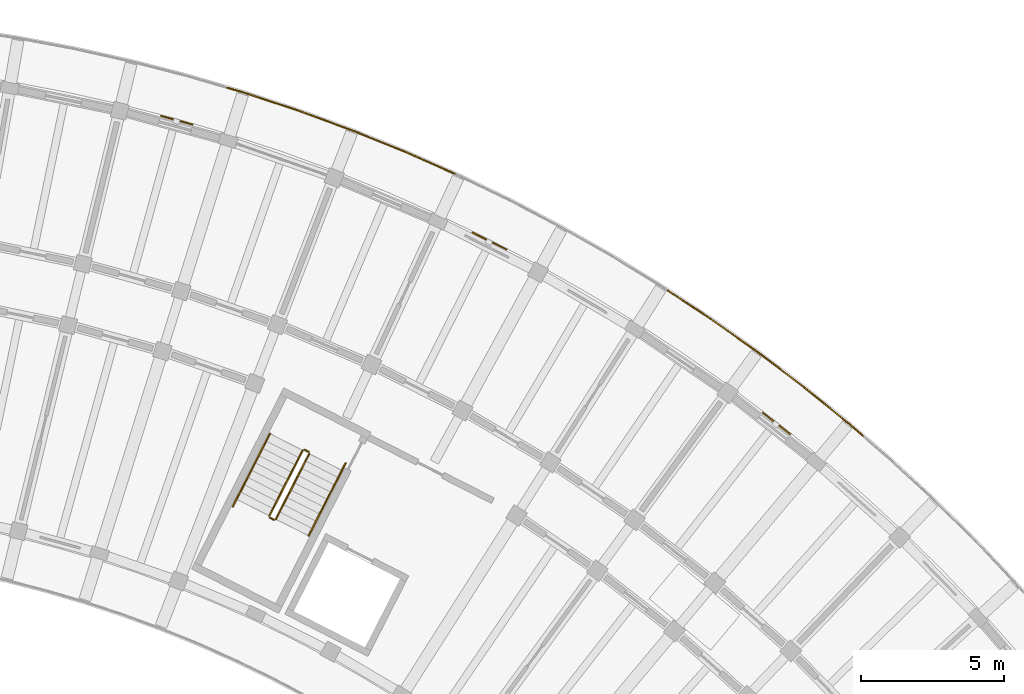
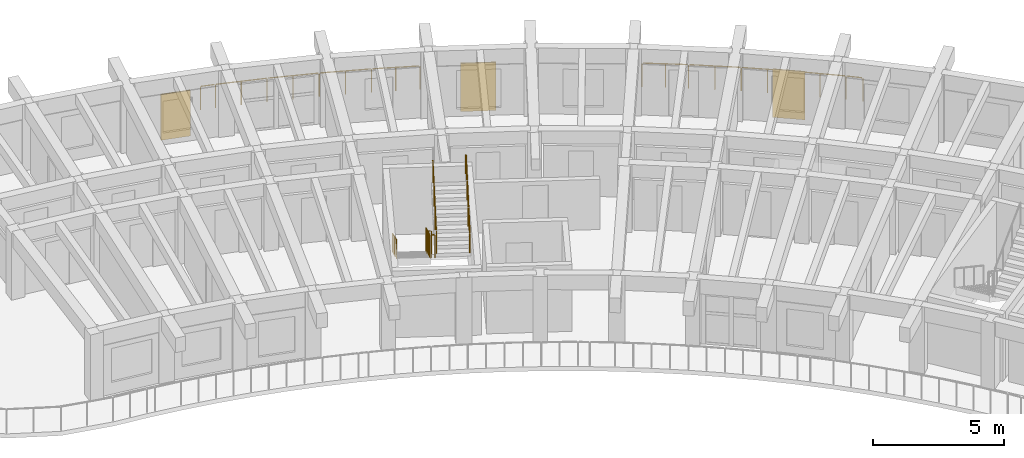
# One storey, part 77 of 78: 12 railings, 3 shading devices.
"""IFC4 building model written with IfcOpenShell, lengths in metres."""

from ifc_helpers import new_model, si_unit, direction, frame, origin, origin_2d, place, context, subcontext, project, spatial, rectangle, circle, extrude, material, layer, layer_set, type_object, element, save


model = new_model("IFC4")

# Units and contexts
model_context = context("Model", 3, precision=1e-05, world=origin(), true_north=direction((0.0, 1.0)))
body_context = subcontext(model_context, "Body", "Model", "MODEL_VIEW")
ifc_project = project(units=[si_unit("LENGTHUNIT", "METRE"), si_unit("AREAUNIT", "SQUARE_METRE"), si_unit("VOLUMEUNIT", "CUBIC_METRE"), si_unit("PLANEANGLEUNIT", "RADIAN"), si_unit("MASSUNIT", "GRAM", prefix="KILO")], contexts=[model_context])

# Site, building, storey
site_placement = place(None, origin())
site = spatial("IfcSite", under=ifc_project, at=site_placement, CompositionType="ELEMENT")
building_placement = place(site_placement, origin())
building = spatial("IfcBuilding", under=site, at=building_placement, Name="Tanwirah Colonnade Gardens", CompositionType="ELEMENT")
storey_placement = place(building_placement, frame((0.0, 0.0, 22.280029296875)))
storey = spatial("IfcBuildingStorey", under=building, at=storey_placement, Name="L06", CompositionType="ELEMENT", Elevation=22.280029296875)

# Railings
ifc_material_1 = material(Name="Precast concrete C40/50", Category="concrete")
railing_type_1 = type_object("IfcRailingType", Name="BAL-EXT112", PredefinedType="BALUSTRADE", material=ifc_material_1)
railing_1_placement = place(storey_placement, frame((138.708984375, 118.89990234375, 0.0)))
element("IfcRailing", 1, at=railing_1_placement, inside=storey, type_object=railing_type_1, Name="Block B L06 Balcony Ribbon Balustrade 12", PredefinedType="BALUSTRADE", context=body_context, shape_type="SweptSolid", body=[
    extrude(circle(Radius=0.02392578125, at=origin_2d()), frame((0.030029296875, -0.0087890625, 1.09619140625), z_axis=(0.959445381797, -0.281894589072, 0.0), x_axis=(0.281894589072, 0.959445381797, 0.0)), (0.0, 0.0, 1.0), 0.521240234375),
    extrude(circle(Radius=0.02392578125, at=origin_2d()), frame((0.58984375, -0.17431640625, 1.09619140625), z_axis=(0.949537316482, -0.313654084317, 0.0), x_axis=(0.313654084317, 0.949537316482, 0.0)), (0.0, 0.0, 1.0), 1.958984375),
    extrude(circle(Radius=0.02392578125, at=origin_2d()), frame((2.5087890625, -0.809326171875, 1.09619140625), z_axis=(0.938723993457, -0.344669789956, 0.0), x_axis=(0.344669789956, 0.938723993457, 0.0)), (0.0, 0.0, 1.0), 1.958984375),
    extrude(circle(Radius=0.02392578125, at=origin_2d()), frame((4.40625, -1.507080078125, 1.09619140625), z_axis=(0.926784720453, -0.375592973757, 0.0), x_axis=(0.375592973757, 0.926784720453, 0.0)), (0.0, 0.0, 1.0), 1.958984375),
    extrude(circle(Radius=0.02392578125, at=origin_2d()), frame((6.279296875, -2.267333984375, 1.09619140625), z_axis=(0.913952853369, -0.405820381227, 0.0), x_axis=(0.405820381227, 0.913952853369, 0.0)), (0.0, 0.0, 1.0), 1.789306640625),
    extrude(circle(Radius=0.02099609375, at=origin_2d()), origin(), (0.0, 0.0, 1.0), 1.069091796875),
    extrude(circle(Radius=0.02099609375, at=origin_2d()), frame((0.56005859375, -0.16455078125, 0.0)), (0.0, 0.0, 1.0), 1.069091796875),
    extrude(circle(Radius=0.02099609375, at=origin_2d()), frame((1.519775390625, -0.4814453125, 0.0)), (0.0, 0.0, 1.0), 1.069091796875),
    extrude(circle(Radius=0.02099609375, at=origin_2d()), frame((2.4794921875, -0.798583984375, 0.0)), (0.0, 0.0, 1.0), 1.069091796875),
    extrude(circle(Radius=0.02099609375, at=origin_2d()), frame((3.42822265625, -1.14697265625, 0.0)), (0.0, 0.0, 1.0), 1.069091796875),
    extrude(circle(Radius=0.02099609375, at=origin_2d()), frame((4.377197265625, -1.495361328125, 0.0)), (0.0, 0.0, 1.0), 1.069091796875),
    extrude(circle(Radius=0.02099609375, at=origin_2d()), frame((5.31396484375, -1.875, 0.0)), (0.0, 0.0, 1.0), 1.069091796875),
    extrude(circle(Radius=0.02099609375, at=origin_2d()), frame((6.250732421875, -2.254638671875, 0.0)), (0.0, 0.0, 1.0), 1.069091796875),
    extrude(circle(Radius=0.02099609375, at=origin_2d()), frame((7.096923828125, -2.63037109375, 0.0)), (0.0, 0.0, 1.0), 1.069091796875),
    extrude(circle(Radius=0.02099609375, at=origin_2d()), frame((7.943115234375, -3.006103515625, 0.0)), (0.0, 0.0, 1.0), 1.069091796875),
])
railing_2_placement = place(storey_placement, frame((154.10107421875, 111.814208984375, 0.0)))
element("IfcRailing", 2, at=railing_2_placement, inside=storey, type_object=railing_type_1, Name="Block B L06 Balcony Ribbon Balustrade 14", PredefinedType="BALUSTRADE", context=body_context, shape_type="SweptSolid", body=[
    extrude(circle(Radius=0.02392578125, at=origin_2d()), frame((0.026123046875, -0.01708984375, 1.09619140625), z_axis=(0.834955335446, -0.550317715334, 0.0), x_axis=(0.550317715334, 0.834955335446, 0.0)), (0.0, 0.0, 1.0), 1.714599609375),
    extrude(circle(Radius=0.02392578125, at=origin_2d()), frame((1.509521484375, -0.99609375, 1.09619140625), z_axis=(0.816344803849, -0.577564854565, 0.0), x_axis=(0.577564854565, 0.816344803849, 0.0)), (0.0, 0.0, 1.0), 1.958740234375),
    extrude(circle(Radius=0.02392578125, at=origin_2d()), frame((3.158935546875, -2.164306640625, 1.09619140625), z_axis=(0.796887753746, -0.604127393792, 0.0), x_axis=(0.604127393792, 0.796887753746, 0.0)), (0.0, 0.0, 1.0), 1.958984375),
    extrude(circle(Radius=0.02392578125, at=origin_2d()), frame((4.76904296875, -3.386474609375, 1.09619140625), z_axis=(0.776549722569, -0.630055972417, 0.0), x_axis=(0.630055972417, 0.776549722569, 0.0)), (0.0, 0.0, 1.0), 1.958984375),
    extrude(circle(Radius=0.02392578125, at=origin_2d()), frame((6.33837890625, -4.660888671875, 1.09619140625), z_axis=(0.755371030703, -0.65529734165, 0.0), x_axis=(0.65529734165, 0.755371030703, 0.0)), (0.0, 0.0, 1.0), 0.59619140625),
    extrude(circle(Radius=0.02099609375, at=origin_2d()), origin(), (0.0, 0.0, 1.0), 1.069091796875),
    extrude(circle(Radius=0.02099609375, at=origin_2d()), frame((0.741943359375, -0.489013671875, 0.0)), (0.0, 0.0, 1.0), 1.069091796875),
    extrude(circle(Radius=0.02099609375, at=origin_2d()), frame((1.48388671875, -0.97802734375, 0.0)), (0.0, 0.0, 1.0), 1.069091796875),
    extrude(circle(Radius=0.02099609375, at=origin_2d()), frame((2.30908203125, -1.561767578125, 0.0)), (0.0, 0.0, 1.0), 1.069091796875),
    extrude(circle(Radius=0.02099609375, at=origin_2d()), frame((3.134033203125, -2.1455078125, 0.0)), (0.0, 0.0, 1.0), 1.069091796875),
    extrude(circle(Radius=0.02099609375, at=origin_2d()), frame((3.939453125, -2.756103515625, 0.0)), (0.0, 0.0, 1.0), 1.069091796875),
    extrude(circle(Radius=0.02099609375, at=origin_2d()), frame((4.744873046875, -3.36669921875, 0.0)), (0.0, 0.0, 1.0), 1.069091796875),
    extrude(circle(Radius=0.02099609375, at=origin_2d()), frame((5.52978515625, -4.00341796875, 0.0)), (0.0, 0.0, 1.0), 1.069091796875),
    extrude(circle(Radius=0.02099609375, at=origin_2d()), frame((6.314697265625, -4.640380859375, 0.0)), (0.0, 0.0, 1.0), 1.069091796875),
    extrude(circle(Radius=0.02099609375, at=origin_2d()), frame((6.812255859375, -5.072021484375, 0.0)), (0.0, 0.0, 1.0), 1.069091796875),
])
ifc_material_2 = material(Name="Powder-coated galvanized steel", Category="steel")
railing_type_2 = type_object("IfcRailingType", Name="GRD-ST110", PredefinedType="GUARDRAIL", material=ifc_material_2)
railing_3_placement = place(storey_placement, frame((141.344970703125, 106.230712890625, 0.16796875)))
element("IfcRailing", 3, at=railing_3_placement, inside=storey, type_object=railing_type_2, Name="L06 ST-B2 stair guard 1", PredefinedType="GUARDRAIL", context=body_context, shape_type="SweptSolid", body=[
    extrude(circle(Radius=0.02392578125, at=origin_2d()), frame((-0.01220703125, -0.02392578125, 1.092041015625), z_axis=(-0.3911222872, -0.767567239095, 0.507803003067), x_axis=(0.890993730975, -0.45401560696, 0.0)), (0.0, 0.0, 1.0), 2.9150390625),
    extrude(circle(Radius=0.02099609375, at=origin_2d()), origin(), (0.0, 0.0, 1.0), 1.049072265625),
    extrude(circle(Radius=0.02099609375, at=origin_2d()), frame((-0.38818359375, -0.76171875, 0.50390625)), (0.0, 0.0, 1.0), 1.049072265625),
    extrude(circle(Radius=0.02099609375, at=origin_2d()), frame((-0.7763671875, -1.523681640625, 1.008056640625)), (0.0, 0.0, 1.0), 1.049072265625),
    extrude(circle(Radius=0.02099609375, at=origin_2d()), frame((-1.16455078125, -2.285400390625, 1.511962890625)), (0.0, 0.0, 1.0), 1.049072265625),
])
railing_4_placement = place(storey_placement, frame((140.202392578125, 103.8779296875, 1.679931640625)))
element("IfcRailing", 4, at=railing_4_placement, inside=storey, type_object=railing_type_2, Name="L06 ST-B2 stair guard 2", PredefinedType="GUARDRAIL", context=body_context, shape_type="SweptSolid", body=[
    extrude(circle(Radius=0.02392578125, at=origin_2d()), frame((0.02783203125, -0.01416015625, 1.076171875), z_axis=(0.891353773095, -0.453308340084, 0.0), x_axis=(0.453308340084, 0.891353773095, 0.0)), (0.0, 0.0, 1.0), 0.097412109375),
    extrude(circle(Radius=0.02099609375, at=origin_2d()), origin(), (0.0, 0.0, 1.0), 1.049072265625),
    extrude(circle(Radius=0.02099609375, at=origin_2d()), frame((0.142578125, -0.072509765625, 0.0)), (0.0, 0.0, 1.0), 1.049072265625),
])
railing_5_placement = place(storey_placement, frame((140.412109375, 103.8271484375, 1.847900390625)))
element("IfcRailing", 5, at=railing_5_placement, inside=storey, type_object=railing_type_2, Name="L06 ST-B2 stair guard 3", PredefinedType="GUARDRAIL", context=body_context, shape_type="SweptSolid", body=[
    extrude(circle(Radius=0.02392578125, at=origin_2d()), frame((0.01220703125, 0.02392578125, 1.092041015625), z_axis=(0.3911222872, 0.767567239095, 0.507803003067), x_axis=(-0.890993730975, 0.45401560696, 0.0)), (0.0, 0.0, 1.0), 2.9150390625),
    extrude(circle(Radius=0.02099609375, at=origin_2d()), origin(), (0.0, 0.0, 1.0), 1.049072265625),
    extrude(circle(Radius=0.02099609375, at=origin_2d()), frame((0.38818359375, 0.76171875, 0.50390625)), (0.0, 0.0, 1.0), 1.049072265625),
    extrude(circle(Radius=0.02099609375, at=origin_2d()), frame((0.7763671875, 1.523681640625, 1.008056640625)), (0.0, 0.0, 1.0), 1.049072265625),
    extrude(circle(Radius=0.02099609375, at=origin_2d()), frame((1.16455078125, 2.285400390625, 1.511962890625)), (0.0, 0.0, 1.0), 1.049072265625),
])
railing_6_placement = place(storey_placement, frame((141.412109375, 106.25244140625, 0.0)))
element("IfcRailing", 6, at=railing_6_placement, inside=storey, type_object=railing_type_2, Name="L06 ST-B2 stair guard 4", PredefinedType="GUARDRAIL", context=body_context, shape_type="SweptSolid", body=[
    extrude(circle(Radius=0.02392578125, at=origin_2d()), frame((0.02783203125, -0.01416015625, 1.076171875), z_axis=(0.891353773095, -0.453308340084, 0.0), x_axis=(0.453308340084, 0.891353773095, 0.0)), (0.0, 0.0, 1.0), 0.097412109375),
    extrude(circle(Radius=0.02099609375, at=origin_2d()), origin(), (0.0, 0.0, 1.0), 1.049072265625),
    extrude(circle(Radius=0.02099609375, at=origin_2d()), frame((0.142578125, -0.072509765625, 0.0)), (0.0, 0.0, 1.0), 1.049072265625),
])
ifc_material_3 = material(Name="Brushed bronze stainless steel", Category="steel")
railing_type_3 = type_object("IfcRailingType", Name="HR-ST090", PredefinedType="HANDRAIL", material=ifc_material_3)
railing_7_placement = place(storey_placement, frame((140.204345703125, 106.811767578125, 0.16796875)))
element("IfcRailing", 7, at=railing_7_placement, inside=storey, type_object=railing_type_3, Name="L06 ST-B2 stair handrail 1", PredefinedType="HANDRAIL", context=body_context, shape_type="SweptSolid", body=[
    extrude(circle(Radius=0.02392578125, at=origin_2d()), frame((-0.01220703125, -0.02392578125, 0.891845703125), z_axis=(-0.38993033558, -0.765508761867, 0.511811165275), x_axis=(0.891061070925, -0.453883429839, 0.0)), (0.0, 0.0, 1.0), 1.043212890625),
    extrude(circle(Radius=0.02099609375, at=origin_2d()), origin(), (0.0, 0.0, 1.0), 0.848876953125),
    extrude(circle(Radius=0.02099609375, at=origin_2d()), frame((-0.43115234375, -0.846435546875, 0.56591796875)), (0.0, 0.0, 1.0), 0.848876953125),
])
railing_8_placement = place(storey_placement, frame((139.773193359375, 105.96533203125, 0.73388671875)))
element("IfcRailing", 8, at=railing_8_placement, inside=storey, type_object=railing_type_3, Name="L06 ST-B2 stair handrail 2", PredefinedType="HANDRAIL", context=body_context, shape_type="SweptSolid", body=[
    extrude(circle(Radius=0.02392578125, at=origin_2d()), frame((-0.01220703125, -0.02392578125, 0.891845703125), z_axis=(-0.390073458003, -0.765356354779, 0.511930022133), x_axis=(0.890957114254, -0.454087459154, 0.0)), (0.0, 0.0, 1.0), 1.04345703125),
    extrude(circle(Radius=0.02099609375, at=origin_2d()), origin(), (0.0, 0.0, 1.0), 0.848876953125),
    extrude(circle(Radius=0.02099609375, at=origin_2d()), frame((-0.431396484375, -0.846435546875, 0.566162109375)), (0.0, 0.0, 1.0), 0.848876953125),
])
railing_9_placement = place(storey_placement, frame((139.341796875, 105.118896484375, 1.300048828125)))
element("IfcRailing", 9, at=railing_9_placement, inside=storey, type_object=railing_type_3, Name="L06 ST-B2 stair handrail 3", PredefinedType="HANDRAIL", context=body_context, shape_type="SweptSolid", body=[
    extrude(circle(Radius=0.02392578125, at=origin_2d()), frame((-0.01220703125, -0.02392578125, 0.891845703125), z_axis=(-0.38993033558, -0.765508761867, 0.511811165275), x_axis=(0.891061070925, -0.453883429839, 0.0)), (0.0, 0.0, 1.0), 1.043212890625),
    extrude(circle(Radius=0.02099609375, at=origin_2d()), origin(), (0.0, 0.0, 1.0), 0.848876953125),
    extrude(circle(Radius=0.02099609375, at=origin_2d()), frame((-0.43115234375, -0.846435546875, 0.56591796875)), (0.0, 0.0, 1.0), 0.848876953125),
])
railing_10_placement = place(storey_placement, frame((141.552490234375, 103.24609375, 1.847900390625)))
element("IfcRailing", 10, at=railing_10_placement, inside=storey, type_object=railing_type_3, Name="L06 ST-B2 stair handrail 4", PredefinedType="HANDRAIL", context=body_context, shape_type="SweptSolid", body=[
    extrude(circle(Radius=0.02392578125, at=origin_2d()), frame((0.01220703125, 0.02392578125, 0.891845703125), z_axis=(0.390073458003, 0.765356354779, 0.511930022133), x_axis=(-0.890957114254, 0.454087459154, 0.0)), (0.0, 0.0, 1.0), 1.04345703125),
    extrude(circle(Radius=0.02099609375, at=origin_2d()), origin(), (0.0, 0.0, 1.0), 0.848876953125),
    extrude(circle(Radius=0.02099609375, at=origin_2d()), frame((0.431396484375, 0.846435546875, 0.566162109375)), (0.0, 0.0, 1.0), 0.848876953125),
])
railing_11_placement = place(storey_placement, frame((141.98388671875, 104.092529296875, 2.4140625)))
element("IfcRailing", 11, at=railing_11_placement, inside=storey, type_object=railing_type_3, Name="L06 ST-B2 stair handrail 5", PredefinedType="HANDRAIL", context=body_context, shape_type="SweptSolid", body=[
    extrude(circle(Radius=0.02392578125, at=origin_2d()), frame((0.01220703125, 0.02392578125, 0.891845703125), z_axis=(0.390117538533, 0.765442844423, 0.51176709356), x_axis=(-0.890957114254, 0.454087459154, 0.0)), (0.0, 0.0, 1.0), 1.043212890625),
    extrude(circle(Radius=0.02099609375, at=origin_2d()), origin(), (0.0, 0.0, 1.0), 0.848876953125),
    extrude(circle(Radius=0.02099609375, at=origin_2d()), frame((0.431396484375, 0.846435546875, 0.56591796875)), (0.0, 0.0, 1.0), 0.848876953125),
])
railing_12_placement = place(storey_placement, frame((142.415283203125, 104.93896484375, 2.97998046875)))
element("IfcRailing", 12, at=railing_12_placement, inside=storey, type_object=railing_type_3, Name="L06 ST-B2 stair handrail 6", PredefinedType="HANDRAIL", context=body_context, shape_type="SweptSolid", body=[
    extrude(circle(Radius=0.02392578125, at=origin_2d()), frame((0.01220703125, 0.02392578125, 0.891845703125), z_axis=(0.38993033558, 0.765508761867, 0.511811165275), x_axis=(-0.891061070925, 0.453883429839, 0.0)), (0.0, 0.0, 1.0), 1.043212890625),
    extrude(circle(Radius=0.02099609375, at=origin_2d()), origin(), (0.0, 0.0, 1.0), 0.848876953125),
    extrude(circle(Radius=0.02099609375, at=origin_2d()), frame((0.43115234375, 0.846435546875, 0.56591796875)), (0.0, 0.0, 1.0), 0.848876953125),
])

# Shading devices
ifc_material_4 = material(Name="Perforated architectural bronze aluminium", Category="aluminium")
ifc_layer = layer(ifc_material_4, 0.044921875)
ifc_layer_set = layer_set([ifc_layer], Name="Perforated architectural bronze aluminium")
shading_device_type = type_object("IfcShadingDeviceType", Name="SHD-MSH1", PredefinedType="JALOUSIE", material=ifc_layer_set)
shading_device_1_placement = place(storey_placement, frame((157.899658203125, 107.17236328125, 0.0), z_axis=(0.0, 0.0, 1.0), x_axis=(-0.786816013383, 0.617187622271, 0.0)))
element("IfcShadingDevice", 13, at=shading_device_1_placement, inside=storey, type_object=shading_device_type, Name="Bronze mashrabiya solar screen B-L06-09", PredefinedType="JALOUSIE", context=body_context, shape_type="SweptSolid", body=[
    extrude(rectangle(XDim=1.25, YDim=0.044921875, at=origin_2d()), origin(), (0.0, 0.0, 1.0), 2.25),
])
shading_device_2_placement = place(storey_placement, frame((147.87353515625, 113.546142578125, 0.0), z_axis=(0.0, 0.0, 1.0), x_axis=(-0.892759988233, 0.450532577524, 0.0)))
element("IfcShadingDevice", 14, at=shading_device_2_placement, inside=storey, type_object=shading_device_type, Name="Bronze mashrabiya solar screen B-L06-12", PredefinedType="JALOUSIE", context=body_context, shape_type="SweptSolid", body=[
    extrude(rectangle(XDim=1.35009765625, YDim=0.044921875, at=origin_2d()), origin(), (0.0, 0.0, 1.0), 2.25),
])
shading_device_3_placement = place(storey_placement, frame((136.947998046875, 117.764404296875, 0.0), z_axis=(0.0, 0.0, 1.0), x_axis=(-0.963888748144, 0.266305240659, 0.0)))
element("IfcShadingDevice", 15, at=shading_device_3_placement, inside=storey, type_object=shading_device_type, Name="Bronze mashrabiya solar screen B-L06-15", PredefinedType="JALOUSIE", context=body_context, shape_type="SweptSolid", body=[
    extrude(rectangle(XDim=1.159912109375, YDim=0.044921875, at=origin_2d()), origin(), (0.0, 0.0, 1.0), 2.135009765625),
])

save(model, "model.ifc")
